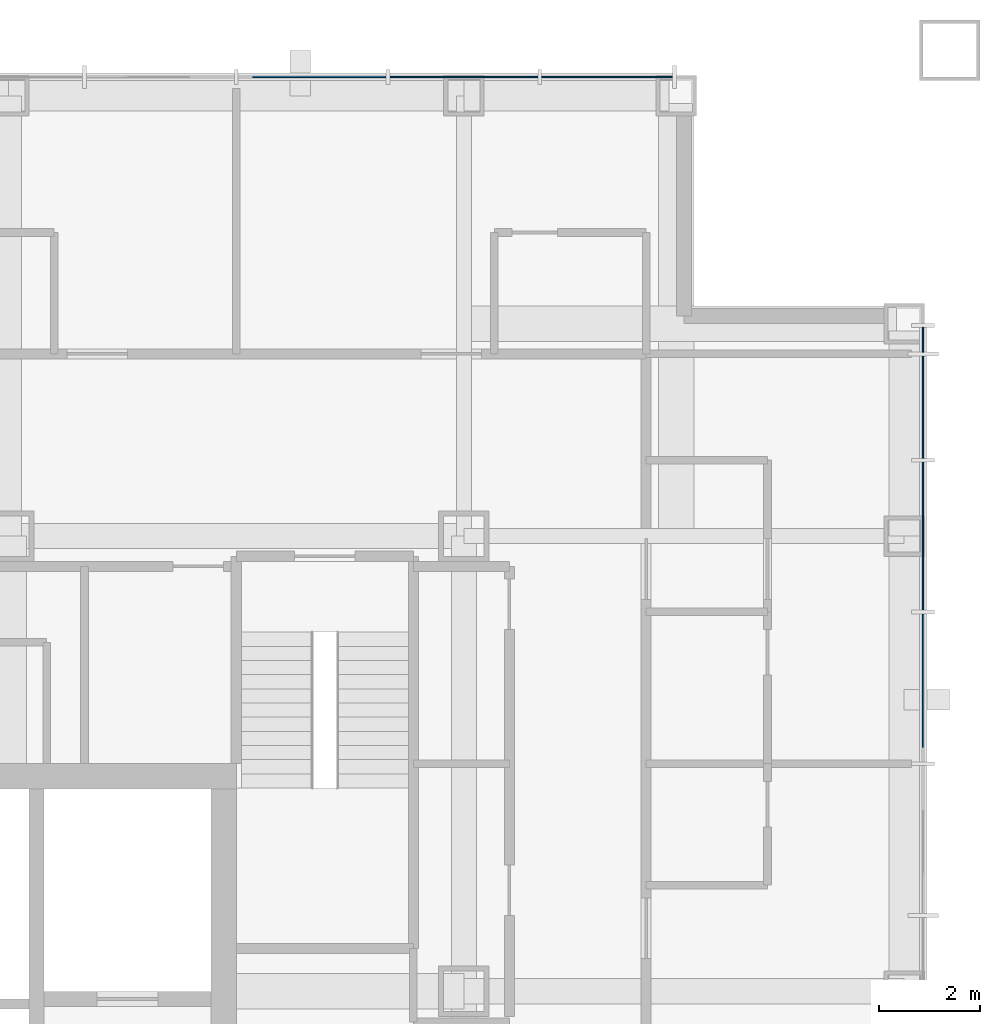
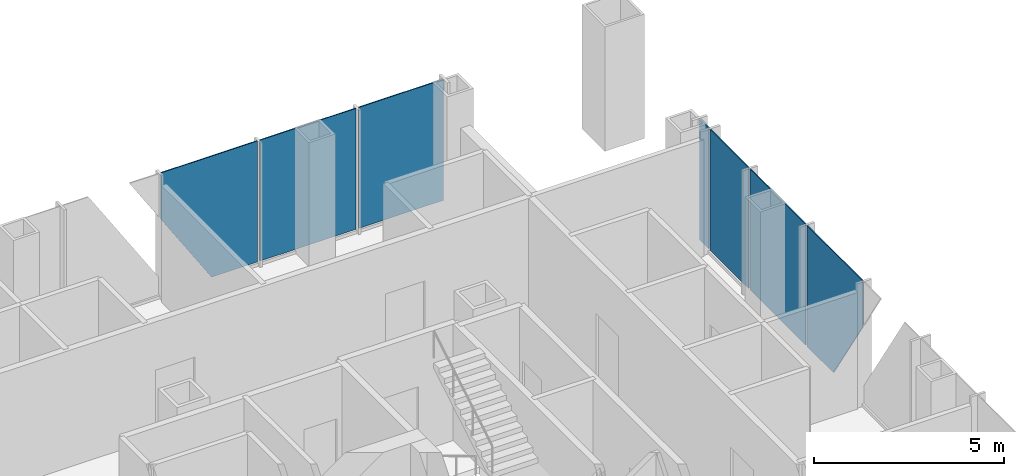
# One storey, part 10 of 21: 7 plates, 2 elements without a shape of their own.
"""IFC4 building model written with IfcOpenShell, lengths in metres."""

from ifc_helpers import new_model, si_unit, direction, frame, origin, origin_2d, place, context, subcontext, project, spatial, polyline, rectangle, outline, extrude, material, layer, layer_set, type_object, element, aggregate, save


model = new_model("IFC4")

# Units and contexts
model_context = context("Model", 3, precision=1e-05, world=origin(), true_north=direction((0.0, 1.0)))
body_context = subcontext(model_context, "Body", "Model", "MODEL_VIEW")
ifc_project = project(units=[si_unit("LENGTHUNIT", "METRE"), si_unit("AREAUNIT", "SQUARE_METRE"), si_unit("VOLUMEUNIT", "CUBIC_METRE"), si_unit("PLANEANGLEUNIT", "RADIAN"), si_unit("MASSUNIT", "GRAM", prefix="KILO")], contexts=[model_context])

# Site, building, storey
site_placement = place(None, origin())
site = spatial("IfcSite", under=ifc_project, at=site_placement, CompositionType="ELEMENT")
building_placement = place(site_placement, origin())
building = spatial("IfcBuilding", under=site, at=building_placement, Name="Malebo Sky Hospital", CompositionType="ELEMENT")
storey_placement = place(building_placement, frame((0.0, 0.0, 229.0)))
storey = spatial("IfcBuildingStorey", under=building, at=storey_placement, Name="L55", CompositionType="ELEMENT", Elevation=229.0)

# Curtain wall, plates
ifc_material_1 = material(Name="Anodised aluminium, natural silver", Category="aluminium")
ifc_layer_1 = layer(ifc_material_1, 0.25)
ifc_layer_set_1 = layer_set([ifc_layer_1], Name="WARD CURTAIN WALL NORTH AND SOUTH")
curtain_wall_type_1 = type_object("IfcCurtainWallType", Name="WARD CURTAIN WALL NORTH AND SOUTH", PredefinedType="NOTDEFINED", material=ifc_layer_set_1)
curtain_wall_1_placement = place(storey_placement, origin())
curtain_wall_1 = element("IfcCurtainWall", 1, at=curtain_wall_1_placement, inside=storey, type_object=curtain_wall_type_1, Name="NS curtain wall N", PredefinedType="NOTDEFINED")
ifc_material_2 = material(Name="Clear low-iron double glazing", Category="glass")
ifc_layer_2 = layer(ifc_material_2, 0.031982421875)
ifc_layer_set_2 = layer_set([ifc_layer_2], Name="VISION PANEL CLEAR 32")
plate_type = type_object("IfcPlateType", Name="VISION PANEL CLEAR 32", PredefinedType="CURTAIN_PANEL", material=ifc_layer_set_2)
plate_1_placement = place(storey_placement, frame((70.5, 84.574951171875, 0.10009765625), z_axis=(0.0, 0.0, 1.0), x_axis=(1.0, 0.0, 0.0)))
plate_1 = element("IfcPlate", 2, at=plate_1_placement, type_object=plate_type, Name="Panel 11", PredefinedType="CURTAIN_PANEL", context=body_context, shape_type="SweptSolid", body=[
    extrude(outline(polyline([(0.0703125, 0.0), (1.46240234375, 0.0), (1.46240234375, 3.889892578125), (-1.46240234375, 3.889892578125), (-1.46240234375, 2.388916015625), (0.0703125, 0.0)])), frame((0.0, 0.01611328125, 0.0), z_axis=(0.0, -1.0, 0.0), x_axis=(1.0, 0.0, 0.0)), (0.0, 0.0, 1.0), 0.031982421875),
])
plate_2_placement = place(storey_placement, frame((73.5, 84.574951171875, 0.10009765625), z_axis=(0.0, 0.0, 1.0), x_axis=(1.0, 0.0, 0.0)))
plate_2 = element("IfcPlate", 3, at=plate_2_placement, type_object=plate_type, Name="Panel 12", PredefinedType="CURTAIN_PANEL", context=body_context, shape_type="SweptSolid", body=[
    extrude(rectangle(XDim=2.925048828125, YDim=0.031982421875, at=origin_2d()), origin(), (0.0, 0.0, 1.0), 3.889892578125),
])
plate_3_placement = place(storey_placement, frame((76.331298828125, 84.574951171875, 0.10009765625), z_axis=(0.0, 0.0, 1.0), x_axis=(1.0, 0.0, 0.0)))
plate_3 = element("IfcPlate", 4, at=plate_3_placement, type_object=plate_type, Name="Panel 13", PredefinedType="CURTAIN_PANEL", context=body_context, shape_type="SweptSolid", body=[
    extrude(rectangle(XDim=2.58740234375, YDim=0.031982421875, at=origin_2d()), origin(), (0.0, 0.0, 1.0), 3.889892578125),
])
aggregate(curtain_wall_1, [plate_1, plate_2, plate_3])

ifc_layer_3 = layer(ifc_material_1, 0.25)
ifc_layer_set_3 = layer_set([ifc_layer_3], Name="WARD CURTAIN WALL EAST AND WEST")
curtain_wall_type_2 = type_object("IfcCurtainWallType", Name="WARD CURTAIN WALL EAST AND WEST", PredefinedType="NOTDEFINED", material=ifc_layer_set_3)
curtain_wall_2_placement = place(storey_placement, origin())
curtain_wall_2 = element("IfcCurtainWall", 5, at=curtain_wall_2_placement, inside=storey, type_object=curtain_wall_type_2, Name="EW curtain wall E", PredefinedType="NOTDEFINED")
plate_4_placement = place(storey_placement, frame((82.574951171875, 79.38134765625, 0.10009765625), z_axis=(0.0, 0.0, 1.0), x_axis=(0.0, -1.0, 0.0)))
plate_4 = element("IfcPlate", 6, at=plate_4_placement, type_object=plate_type, Name="Panel 1", PredefinedType="CURTAIN_PANEL", context=body_context, shape_type="SweptSolid", body=[
    extrude(rectangle(XDim=0.487548828125, YDim=0.031982421875, at=origin_2d()), origin(), (0.0, 0.0, 1.0), 3.889892578125),
])
plate_5_placement = place(storey_placement, frame((82.574951171875, 78.050048828125, 0.10009765625), z_axis=(0.0, 0.0, 1.0), x_axis=(0.0, -1.0, 0.0)))
plate_5 = element("IfcPlate", 7, at=plate_5_placement, type_object=plate_type, Name="Panel 2", PredefinedType="CURTAIN_PANEL", context=body_context, shape_type="SweptSolid", body=[
    extrude(rectangle(XDim=2.02490234375, YDim=0.031982421875, at=origin_2d()), origin(), (0.0, 0.0, 1.0), 3.889892578125),
])
plate_6_placement = place(storey_placement, frame((82.574951171875, 75.5, 0.10009765625), z_axis=(0.0, 0.0, 1.0), x_axis=(0.0, -1.0, 0.0)))
plate_6 = element("IfcPlate", 8, at=plate_6_placement, type_object=plate_type, Name="Panel 3", PredefinedType="CURTAIN_PANEL", context=body_context, shape_type="SweptSolid", body=[
    extrude(rectangle(XDim=2.925048828125, YDim=0.031982421875, at=origin_2d()), origin(), (0.0, 0.0, 1.0), 3.889892578125),
])
plate_7_placement = place(storey_placement, frame((82.574951171875, 72.5, 0.10009765625), z_axis=(0.0, 0.0, 1.0), x_axis=(0.0, -1.0, 0.0)))
plate_7 = element("IfcPlate", 9, at=plate_7_placement, type_object=plate_type, Name="Panel 4", PredefinedType="CURTAIN_PANEL", context=body_context, shape_type="SweptSolid", body=[
    extrude(outline(polyline([(-1.46240234375, 0.0), (-0.0703125, 0.0), (1.46240234375, 2.388916015625), (1.46240234375, 3.889892578125), (-1.46240234375, 3.889892578125), (-1.46240234375, 0.0)])), frame((0.0, 0.01611328125, 0.0), z_axis=(0.0, -1.0, 0.0), x_axis=(1.0, 0.0, 0.0)), (0.0, 0.0, 1.0), 0.031982421875),
])
aggregate(curtain_wall_2, [plate_4, plate_5, plate_6, plate_7])

save(model, "model.ifc")
